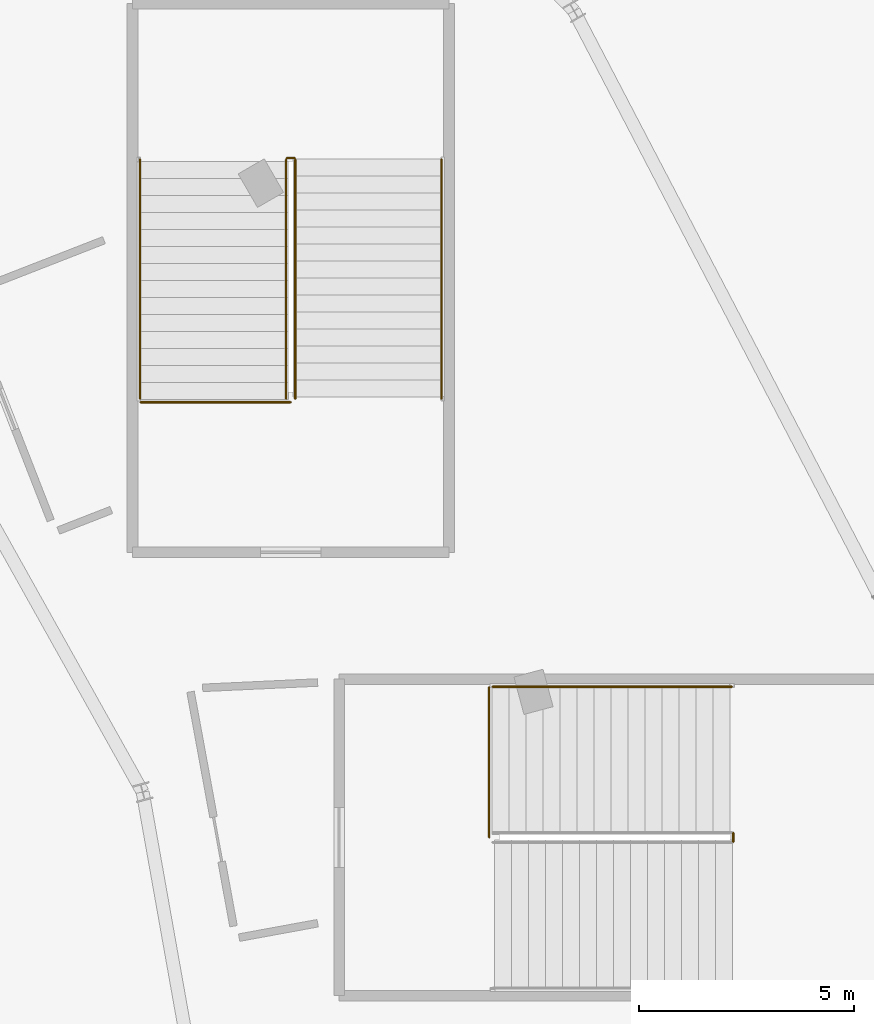
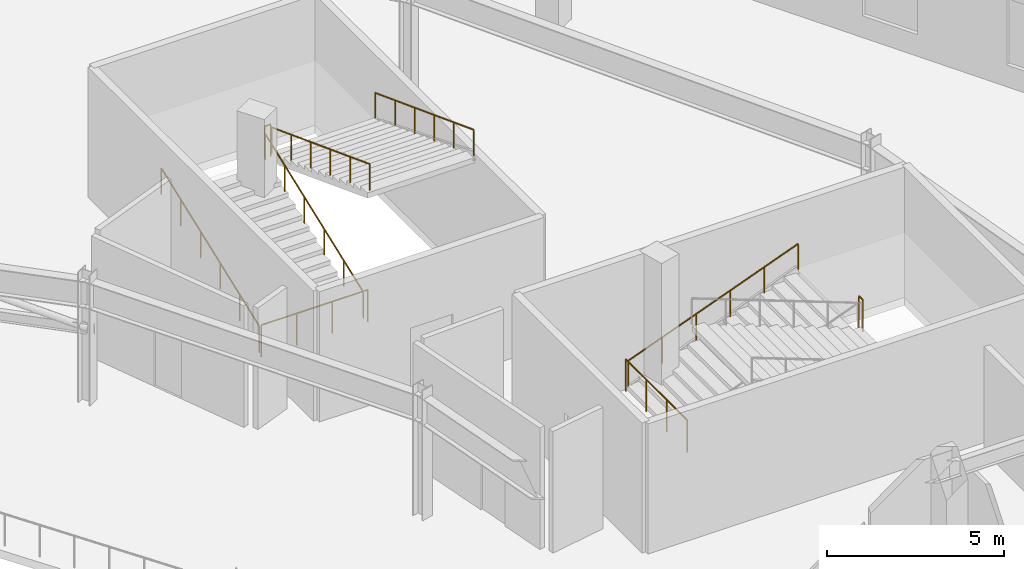
# One storey, part 122 of 123: 9 railings.
"""IFC4 building model written with IfcOpenShell, lengths in metres."""

from ifc_helpers import new_model, si_unit, direction, frame, origin, origin_2d, place, context, subcontext, project, spatial, circle, extrude, material, type_object, element, save


model = new_model("IFC4")

# Units and contexts
model_context = context("Model", 3, precision=1e-05, world=origin(), true_north=direction((0.0, 1.0)))
body_context = subcontext(model_context, "Body", "Model", "MODEL_VIEW")
ifc_project = project(units=[si_unit("LENGTHUNIT", "METRE"), si_unit("AREAUNIT", "SQUARE_METRE"), si_unit("VOLUMEUNIT", "CUBIC_METRE"), si_unit("PLANEANGLEUNIT", "RADIAN"), si_unit("MASSUNIT", "GRAM", prefix="KILO")], contexts=[model_context])

# Site, building, storey
site_placement = place(None, origin())
site = spatial("IfcSite", under=ifc_project, at=site_placement, CompositionType="ELEMENT")
building_placement = place(site_placement, origin())
building = spatial("IfcBuilding", under=site, at=building_placement, Name="Kalgoora Escarpment Arena", CompositionType="ELEMENT")
storey_placement = place(building_placement, frame((0.0, 0.0, 9.89990234375)))
storey = spatial("IfcBuildingStorey", under=building, at=storey_placement, Name="L02", CompositionType="ELEMENT", Elevation=9.89990234375)

# Railings
ifc_material_1 = material(Name="Galvanised & powdercoated tubular steel", Category="steel")
railing_type_1 = type_object("IfcRailingType", Name="RAL-GUARD-1120", PredefinedType="GUARDRAIL", material=ifc_material_1)
railing_1_placement = place(storey_placement, frame((158.280029296875, 73.405029296875, 2.25)))
element("IfcRailing", 1, at=railing_1_placement, inside=storey, type_object=railing_type_1, Name="ST21 L02 half-landing well guard", PredefinedType="GUARDRAIL", context=body_context, shape_type="SweptSolid", body=[
    extrude(circle(Radius=0.02392578125, at=origin_2d()), frame((0.0, 0.0, 1.09619140625), z_axis=(0.0, -1.0, 0.0), x_axis=(1.0, 0.0, 0.0)), (0.0, 0.0, 1.0), 0.2099609375),
    extrude(circle(Radius=0.02099609375, at=origin_2d()), origin(), (0.0, 0.0, 1.0), 1.072021484375),
    extrude(circle(Radius=0.02099609375, at=origin_2d()), frame((0.0, -0.2099609375, 0.0)), (0.0, 0.0, 1.0), 1.072021484375),
])
railing_2_placement = place(storey_placement, frame((152.610107421875, 76.7900390625, 0.0)))
element("IfcRailing", 2, at=railing_2_placement, inside=storey, type_object=railing_type_1, Name="ST21 L02 floor landing well guard", PredefinedType="GUARDRAIL", context=body_context, shape_type="SweptSolid", body=[
    extrude(circle(Radius=0.02392578125, at=origin_2d()), frame((0.0, 0.0, 1.09619140625), z_axis=(0.0, -1.0, 0.0), x_axis=(1.0, 0.0, 0.0)), (0.0, 0.0, 1.0), 3.489990234375),
    extrude(circle(Radius=0.02099609375, at=origin_2d()), origin(), (0.0, 0.0, 1.0), 1.072021484375),
    extrude(circle(Radius=0.02099609375, at=origin_2d()), frame((0.0, -1.163330078125, 0.0)), (0.0, 0.0, 1.0), 1.072021484375),
    extrude(circle(Radius=0.02099609375, at=origin_2d()), frame((0.0, -2.32666015625, 0.0)), (0.0, 0.0, 1.0), 1.072021484375),
    extrude(circle(Radius=0.02099609375, at=origin_2d()), frame((0.0, -3.489990234375, 0.0)), (0.0, 0.0, 1.0), 1.072021484375),
])
railing_3_placement = place(storey_placement, frame((147.905029296875, 89.080078125, 2.25)))
element("IfcRailing", 3, at=railing_3_placement, inside=storey, type_object=railing_type_1, Name="ST23 L02 half-landing well guard", PredefinedType="GUARDRAIL", context=body_context, shape_type="SweptSolid", body=[
    extrude(circle(Radius=0.02392578125, at=origin_2d()), frame((0.0, 0.0, 1.09619140625), z_axis=(1.0, 0.0, 0.0), x_axis=(0.0, 1.0, 0.0)), (0.0, 0.0, 1.0), 0.18994140625),
    extrude(circle(Radius=0.02099609375, at=origin_2d()), origin(), (0.0, 0.0, 1.0), 1.072021484375),
    extrude(circle(Radius=0.02099609375, at=origin_2d()), frame((0.18994140625, 0.0, 0.0)), (0.0, 0.0, 1.0), 1.072021484375),
])
railing_4_placement = place(storey_placement, frame((144.510009765625, 83.409912109375, 0.0)))
element("IfcRailing", 4, at=railing_4_placement, inside=storey, type_object=railing_type_1, Name="ST23 L02 floor landing well guard", PredefinedType="GUARDRAIL", context=body_context, shape_type="SweptSolid", body=[
    extrude(circle(Radius=0.02392578125, at=origin_2d()), frame((0.0, 0.0, 1.09619140625), z_axis=(1.0, 0.0, 0.0), x_axis=(0.0, 1.0, 0.0)), (0.0, 0.0, 1.0), 3.489990234375),
    extrude(circle(Radius=0.02099609375, at=origin_2d()), origin(), (0.0, 0.0, 1.0), 1.072021484375),
    extrude(circle(Radius=0.02099609375, at=origin_2d()), frame((1.163330078125, 0.0, 0.0)), (0.0, 0.0, 1.0), 1.072021484375),
    extrude(circle(Radius=0.02099609375, at=origin_2d()), frame((2.32666015625, 0.0, 0.0)), (0.0, 0.0, 1.0), 1.072021484375),
    extrude(circle(Radius=0.02099609375, at=origin_2d()), frame((3.489990234375, 0.0, 0.0)), (0.0, 0.0, 1.0), 1.072021484375),
])
ifc_material_2 = material(Name="Brushed stainless steel 316 handrail", Category="steel")
railing_type_2 = type_object("IfcRailingType", Name="RAL-HAND-920", PredefinedType="HANDRAIL", material=ifc_material_2)
railing_5_placement = place(storey_placement, frame((152.68994140625, 76.800048828125, 0.110107421875)))
element("IfcRailing", 5, at=railing_5_placement, inside=storey, type_object=railing_type_2, Name="ST21 L02 pitched stair handrail F1L", PredefinedType="HANDRAIL", context=body_context, shape_type="SweptSolid", body=[
    extrude(circle(Radius=0.02392578125, at=origin_2d()), frame((0.0, 0.0, 0.89599609375), z_axis=(0.935492612948, 0.0, 0.353346248203), x_axis=(0.0, 1.0, 0.0)), (0.0, 0.0, 1.0), 5.943359375),
    extrude(circle(Radius=0.02099609375, at=origin_2d()), origin(), (0.0, 0.0, 1.0), 0.871826171875),
    extrude(circle(Radius=0.02099609375, at=origin_2d()), frame((1.112060546875, 0.0, 0.419921875)), (0.0, 0.0, 1.0), 0.871826171875),
    extrude(circle(Radius=0.02099609375, at=origin_2d()), frame((2.22412109375, 0.0, 0.840087890625)), (0.0, 0.0, 1.0), 0.871826171875),
    extrude(circle(Radius=0.02099609375, at=origin_2d()), frame((3.3359375, 0.0, 1.260009765625)), (0.0, 0.0, 1.0), 0.871826171875),
    extrude(circle(Radius=0.02099609375, at=origin_2d()), frame((4.447998046875, 0.0, 1.68017578125)), (0.0, 0.0, 1.0), 0.871826171875),
    extrude(circle(Radius=0.02099609375, at=origin_2d()), frame((5.56005859375, 0.0, 2.10009765625)), (0.0, 0.0, 1.0), 0.871826171875),
])
for number, where, name in (
    (6, (144.5, 83.489990234375, 0.110107421875), "ST23 L02 pitched stair handrail F1L"),
    (7, (147.89501953125, 83.489990234375, 0.110107421875), "ST23 L02 pitched stair handrail F1R"),
):
    element("IfcRailing", number, at=place(storey_placement, frame(where)), inside=storey, type_object=railing_type_2, Name=name, PredefinedType="HANDRAIL", context=body_context, shape_type="SweptSolid", body=[
        extrude(circle(Radius=0.02392578125, at=origin_2d()), frame((0.0, 0.0, 0.89599609375), z_axis=(0.0, 0.935492612948, 0.353346248203), x_axis=(-1.0, 0.0, 0.0)), (0.0, 0.0, 1.0), 5.943359375),
        extrude(circle(Radius=0.02099609375, at=origin_2d()), origin(), (0.0, 0.0, 1.0), 0.871826171875),
        extrude(circle(Radius=0.02099609375, at=origin_2d()), frame((0.0, 1.112060546875, 0.419921875)), (0.0, 0.0, 1.0), 0.871826171875),
        extrude(circle(Radius=0.02099609375, at=origin_2d()), frame((0.0, 2.22412109375, 0.840087890625)), (0.0, 0.0, 1.0), 0.871826171875),
        extrude(circle(Radius=0.02099609375, at=origin_2d()), frame((0.0, 3.3359375, 1.260009765625)), (0.0, 0.0, 1.0), 0.871826171875),
        extrude(circle(Radius=0.02099609375, at=origin_2d()), frame((0.0, 4.447998046875, 1.68017578125)), (0.0, 0.0, 1.0), 0.871826171875),
        extrude(circle(Radius=0.02099609375, at=origin_2d()), frame((0.0, 5.56005859375, 2.10009765625)), (0.0, 0.0, 1.0), 0.871826171875),
    ])
for number, where, name in (
    (8, (148.10498046875, 89.050048828125, 2.360107421875), "ST23 L02 pitched stair handrail F2L"),
    (9, (151.5, 89.050048828125, 2.360107421875), "ST23 L02 pitched stair handrail F2R"),
):
    element("IfcRailing", number, at=place(storey_placement, frame(where)), inside=storey, type_object=railing_type_2, Name=name, PredefinedType="HANDRAIL", context=body_context, shape_type="SweptSolid", body=[
        extrude(circle(Radius=0.02392578125, at=origin_2d()), frame((0.0, 0.0, 0.89599609375), z_axis=(0.0, -0.935492612948, 0.353346248203), x_axis=(1.0, 0.0, 0.0)), (0.0, 0.0, 1.0), 5.943359375),
        extrude(circle(Radius=0.02099609375, at=origin_2d()), origin(), (0.0, 0.0, 1.0), 0.871826171875),
        extrude(circle(Radius=0.02099609375, at=origin_2d()), frame((0.0, -1.112060546875, 0.419921875)), (0.0, 0.0, 1.0), 0.871826171875),
        extrude(circle(Radius=0.02099609375, at=origin_2d()), frame((0.0, -2.22412109375, 0.840087890625)), (0.0, 0.0, 1.0), 0.871826171875),
        extrude(circle(Radius=0.02099609375, at=origin_2d()), frame((0.0, -3.3359375, 1.260009765625)), (0.0, 0.0, 1.0), 0.871826171875),
        extrude(circle(Radius=0.02099609375, at=origin_2d()), frame((0.0, -4.447998046875, 1.68017578125)), (0.0, 0.0, 1.0), 0.871826171875),
        extrude(circle(Radius=0.02099609375, at=origin_2d()), frame((0.0, -5.56005859375, 2.10009765625)), (0.0, 0.0, 1.0), 0.871826171875),
    ])

save(model, "model.ifc")
